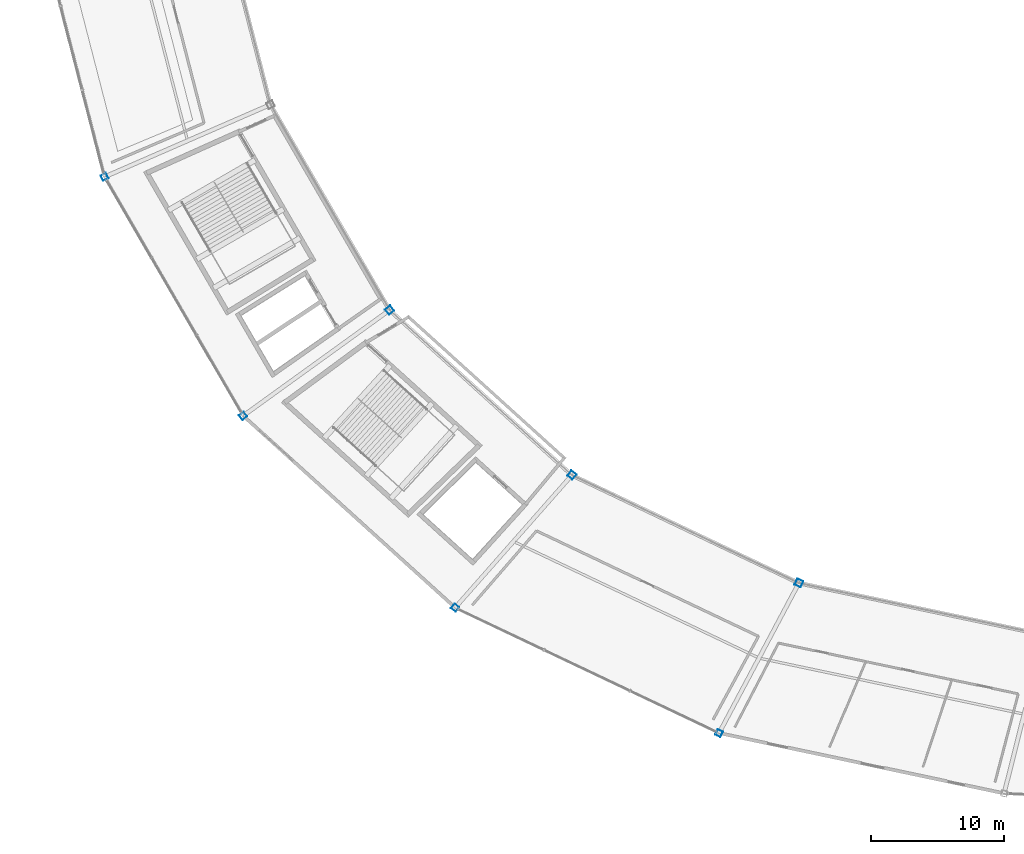
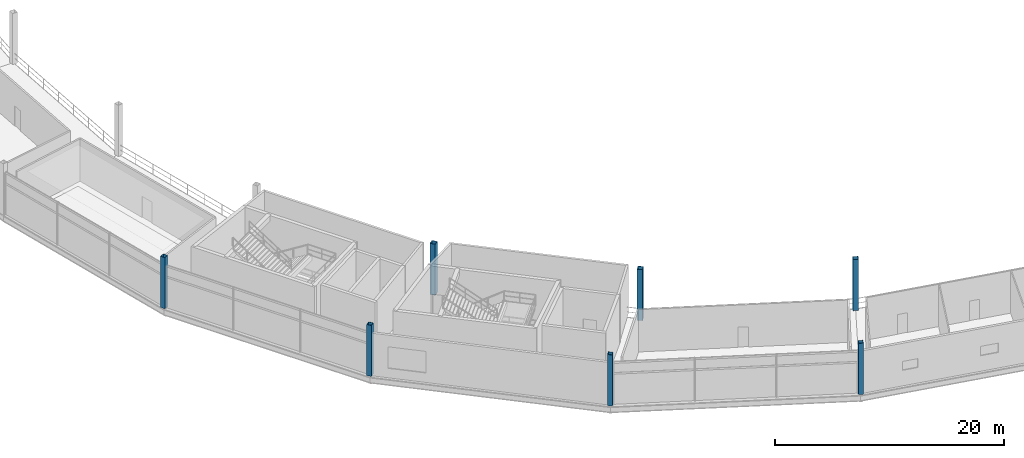
# One storey, part 1 of 103: 7 columns.
"""IFC4 building model written with IfcOpenShell, lengths in metres."""

from ifc_helpers import new_model, si_unit, direction, frame, origin, origin_2d, place, context, subcontext, project, spatial, hollow_rectangle, extrude, material, material_profile, profile_set, type_object, element, save


model = new_model("IFC4")

# Units and contexts
model_context = context("Model", 3, precision=1e-05, world=origin(), true_north=direction((0.0, 1.0)))
body_context = subcontext(model_context, "Body", "Model", "MODEL_VIEW")
ifc_project = project(units=[si_unit("LENGTHUNIT", "METRE"), si_unit("AREAUNIT", "SQUARE_METRE"), si_unit("VOLUMEUNIT", "CUBIC_METRE"), si_unit("PLANEANGLEUNIT", "RADIAN"), si_unit("MASSUNIT", "GRAM", prefix="KILO")], contexts=[model_context])

# Site, building, storey
site_placement = place(None, origin())
site = spatial("IfcSite", under=ifc_project, at=site_placement, CompositionType="ELEMENT")
building_placement = place(site_placement, origin())
building = spatial("IfcBuilding", under=site, at=building_placement, Name="Kazemori Nagisa Stadium", CompositionType="ELEMENT")
storey_placement = place(building_placement, frame((0.0, 0.0, 25.840087890625)))
storey = spatial("IfcBuildingStorey", under=building, at=storey_placement, Name="L05", CompositionType="ELEMENT", Elevation=25.840087890625)

# Columns
ifc_material = material(Name="Steel STKR490", Category="steel")
ifc_material_profile_1 = material_profile(ifc_material, hollow_rectangle(XDim=0.449951171875, YDim=0.449951171875, WallThickness=0.02197265625, at=origin_2d()), Name="SHS-450x450x22")
ifc_profile_set_1 = profile_set([ifc_material_profile_1], Name="Steel STKR490")
column_type_1 = type_object("IfcColumnType", Name="Column_C-ST450", PredefinedType="COLUMN", material=ifc_profile_set_1)
for number, where, z_axis, x_axis, name in (
    (1, (34.114990234375, 63.25048828125, 0.0), (0.0, 0.0, 1.0), (-0.900968867905, -0.433883739113, 0.0), "Column C-ST450 L05 R3-17"),
    (2, (44.504638671875, 45.332275390625, 0.0), (0.0, 0.0, 1.0), (-0.781831482473, -0.623489801853, 0.0), "Column C-ST450 L05 R3-18"),
    (3, (60.402099609375, 30.94091796875, 0.0), (0.0, 0.0, 1.0), (-0.623489801853, -0.781831482473, 0.0), "Column C-ST450 L05 R3-19"),
    (4, (80.1953125, 21.53564453125, 0.0), (0.0, 0.0, 1.0), (-0.433883739113, -0.900968867905, 0.0), "Column C-ST450 L05 R3-20"),
):
    element("IfcColumn", number, at=place(storey_placement, frame(where, z_axis=z_axis, x_axis=x_axis)), inside=storey, type_object=column_type_1, Name=name, PredefinedType="COLUMN", context=body_context, shape_type="SweptSolid", body=[
        extrude(hollow_rectangle(XDim=0.449951171875, YDim=0.449951171875, WallThickness=0.02197265625, at=origin_2d()), origin(), (0.0, 0.0, 1.0), 5.43994140625),
    ])
ifc_material_profile_2 = material_profile(ifc_material, hollow_rectangle(XDim=0.5, YDim=0.5, WallThickness=0.02197265625, at=origin_2d()), Name="SHS-500x500x22")
ifc_profile_set_2 = profile_set([ifc_material_profile_2], Name="Steel STKR490")
column_type_2 = type_object("IfcColumnType", Name="Column_C-ST500", PredefinedType="COLUMN", material=ifc_profile_set_2)
for number, where, z_axis, x_axis, name in (
    (5, (55.493896484375, 53.265869140625, 0.0), (0.0, 0.0, 1.0), (-0.781831482473, -0.623489801853, 0.0), "Column C-ST500 L05 R2-18"),
    (6, (69.165771484375, 40.88916015625, 0.0), (0.0, 0.0, 1.0), (-0.623489801853, -0.781831482473, 0.0), "Column C-ST500 L05 R2-19"),
    (7, (86.18798828125, 32.80078125, 0.0), (0.0, 0.0, 1.0), (-0.433883739113, -0.900968867905, 0.0), "Column C-ST500 L05 R2-20"),
):
    element("IfcColumn", number, at=place(storey_placement, frame(where, z_axis=z_axis, x_axis=x_axis)), inside=storey, type_object=column_type_2, Name=name, PredefinedType="COLUMN", context=body_context, shape_type="SweptSolid", body=[
        extrude(hollow_rectangle(XDim=0.5, YDim=0.5, WallThickness=0.02197265625, at=origin_2d()), origin(), (0.0, 0.0, 1.0), 5.43994140625),
    ])

save(model, "model.ifc")
